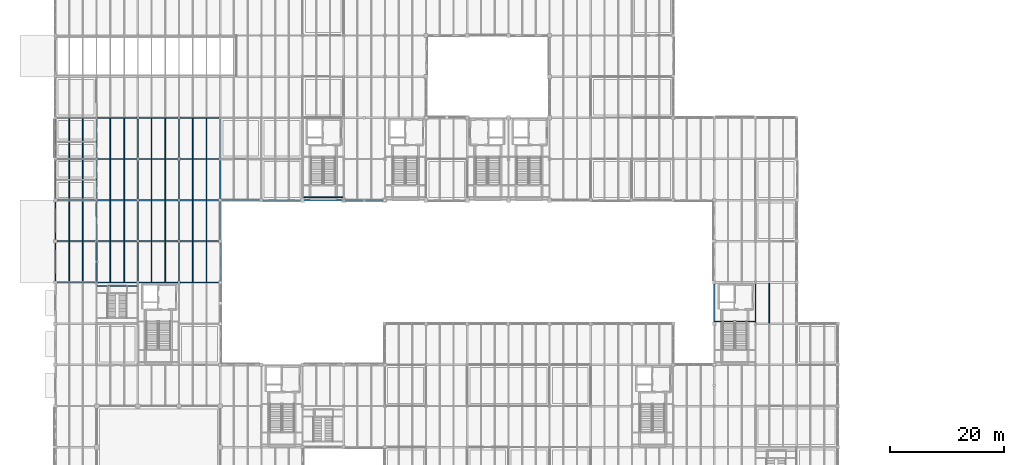
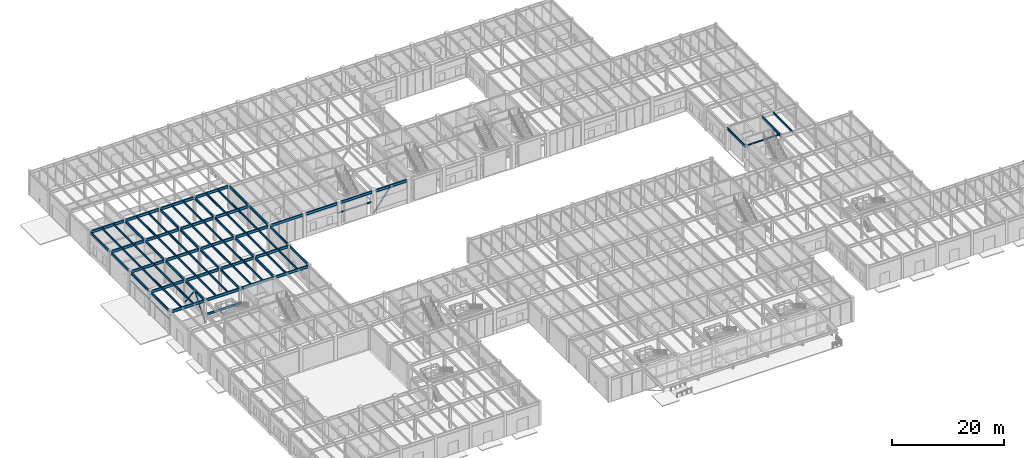
# One storey, part 24 of 97: 84 beams, 3 members.
"""IFC4 building model written with IfcOpenShell, lengths in metres."""

from ifc_helpers import new_model, si_unit, direction, frame, origin, origin_2d, place, context, subcontext, project, spatial, hollow_rectangle, i_section, extrude, material, material_profile, profile_set, type_object, element, save


model = new_model("IFC4")

# Units and contexts
model_context = context("Model", 3, precision=1e-05, world=origin(), true_north=direction((0.0, 1.0)))
body_context = subcontext(model_context, "Body", "Model", "MODEL_VIEW")
ifc_project = project(units=[si_unit("LENGTHUNIT", "METRE"), si_unit("AREAUNIT", "SQUARE_METRE"), si_unit("VOLUMEUNIT", "CUBIC_METRE"), si_unit("PLANEANGLEUNIT", "RADIAN"), si_unit("MASSUNIT", "GRAM", prefix="KILO")], contexts=[model_context])

# Site, building, storey
site_placement = place(None, origin())
site = spatial("IfcSite", under=ifc_project, at=site_placement, CompositionType="ELEMENT")
building_placement = place(site_placement, origin())
building = spatial("IfcBuilding", under=site, at=building_placement, Name="Sillqori Civic Hall", CompositionType="ELEMENT")
storey_placement = place(building_placement, origin())
storey = spatial("IfcBuildingStorey", under=building, at=storey_placement, Name="L01", CompositionType="ELEMENT", Elevation=0.0)

# Beams
ifc_material_1 = material(Name="Steel ASTM A992", Category="steel")
ifc_material_profile_1 = material_profile(ifc_material_1, i_section(OverallWidth=0.19091796875, OverallDepth=0.4599609375, WebThickness=0.010009765625, FlangeThickness=0.01611328125, FilletRadius=0.012939453125, at=origin_2d()), Name="W18X55")
ifc_profile_set_1 = profile_set([ifc_material_profile_1], Name="Steel ASTM A992")
beam_type_1 = type_object("IfcBeamType", Name="BM-W18X55", PredefinedType="BEAM", material=ifc_profile_set_1)
beam_1_placement = place(storey_placement, frame((14.43994140625, 64.179931640625, 2.27490234375), z_axis=(1.0, 0.0, 0.0), x_axis=(0.0, 1.0, 0.0)))
element("IfcBeam", 1, at=beam_1_placement, inside=storey, type_object=beam_type_1, Name="West Committee Concourse Stair L01-L02 half-landing cross trimmer 2", PredefinedType="BEAM", context=body_context, shape_type="SweptSolid", body=[
    extrude(i_section(OverallWidth=0.19091796875, OverallDepth=0.4599609375, WebThickness=0.010009765625, FlangeThickness=0.01611328125, FilletRadius=0.012939453125, at=origin_2d()), origin(), (0.0, 0.0, 1.0), 7.1201171875),
])
ifc_material_profile_2 = material_profile(ifc_material_1, i_section(OverallWidth=0.2099609375, OverallDepth=0.532958984375, WebThickness=0.01025390625, FlangeThickness=0.015625, FilletRadius=0.013916015625, at=origin_2d()), Name="W21X62")
ifc_profile_set_2 = profile_set([ifc_material_profile_2], Name="Steel ASTM A992")
beam_type_2 = type_object("IfcBeamType", Name="BM-W21X62", PredefinedType="BEAM", material=ifc_profile_set_2)
for number, where, z_axis, x_axis, name in (
    (2, (7.199951171875, 65.093994140625, 4.93359375), (0.0, 1.0, 0.0), (-1.0, 0.0, 0.0), "L01 girder Y 1-9"),
    (3, (7.199951171875, 72.2939453125, 4.93359375), (0.0, 1.0, 0.0), (-1.0, 0.0, 0.0), "L01 girder Y 1-10"),
):
    element("IfcBeam", number, at=place(storey_placement, frame(where, z_axis=z_axis, x_axis=x_axis)), inside=storey, type_object=beam_type_2, Name=name, PredefinedType="BEAM", context=body_context, shape_type="SweptSolid", body=[
        extrude(i_section(OverallWidth=0.2099609375, OverallDepth=0.532958984375, WebThickness=0.01025390625, FlangeThickness=0.015625, FilletRadius=0.013916015625, at=origin_2d()), origin(), (0.0, 0.0, 1.0), 6.612060546875),
    ])
beam_2_placement = place(storey_placement, frame((7.199951171875, 79.493896484375, 4.93359375), z_axis=(0.0, 1.0, 0.0), x_axis=(-1.0, 0.0, 0.0)))
element("IfcBeam", 4, at=beam_2_placement, inside=storey, type_object=beam_type_2, Name="L01 girder Y 1-11", PredefinedType="BEAM", context=body_context, shape_type="SweptSolid", body=[
    extrude(i_section(OverallWidth=0.2099609375, OverallDepth=0.532958984375, WebThickness=0.01025390625, FlangeThickness=0.015625, FilletRadius=0.013916015625, at=origin_2d()), origin(), (0.0, 0.0, 1.0), 6.662109375),
])
beam_3_placement = place(storey_placement, frame((7.199951171875, 86.64404296875, 4.93359375), z_axis=(0.0, 1.0, 0.0), x_axis=(-1.0, 0.0, 0.0)))
element("IfcBeam", 5, at=beam_3_placement, inside=storey, type_object=beam_type_2, Name="L01 girder Y 1-12", PredefinedType="BEAM", context=body_context, shape_type="SweptSolid", body=[
    extrude(i_section(OverallWidth=0.2099609375, OverallDepth=0.532958984375, WebThickness=0.01025390625, FlangeThickness=0.015625, FilletRadius=0.013916015625, at=origin_2d()), origin(), (0.0, 0.0, 1.0), 6.7119140625),
])
for number, where, z_axis, x_axis, name in (
    (6, (14.39990234375, 64.987060546875, 4.93359375), (0.0, 1.0, 0.0), (-1.0, 0.0, 0.0), "L01 girder Y 2-9"),
    (7, (14.39990234375, 72.18701171875, 4.93359375), (0.0, 1.0, 0.0), (-1.0, 0.0, 0.0), "L01 girder Y 2-10"),
):
    element("IfcBeam", number, at=place(storey_placement, frame(where, z_axis=z_axis, x_axis=x_axis)), inside=storey, type_object=beam_type_2, Name=name, PredefinedType="BEAM", context=body_context, shape_type="SweptSolid", body=[
        extrude(i_section(OverallWidth=0.2099609375, OverallDepth=0.532958984375, WebThickness=0.01025390625, FlangeThickness=0.015625, FilletRadius=0.013916015625, at=origin_2d()), origin(), (0.0, 0.0, 1.0), 6.825927734375),
    ])
beam_4_placement = place(storey_placement, frame((14.39990234375, 79.386962890625, 4.93359375), z_axis=(0.0, 1.0, 0.0), x_axis=(-1.0, 0.0, 0.0)))
element("IfcBeam", 8, at=beam_4_placement, inside=storey, type_object=beam_type_2, Name="L01 girder Y 2-11", PredefinedType="BEAM", context=body_context, shape_type="SweptSolid", body=[
    extrude(i_section(OverallWidth=0.2099609375, OverallDepth=0.532958984375, WebThickness=0.01025390625, FlangeThickness=0.015625, FilletRadius=0.013916015625, at=origin_2d()), origin(), (0.0, 0.0, 1.0), 6.838623046875),
])
beam_5_placement = place(storey_placement, frame((14.39990234375, 86.574462890625, 4.93359375), z_axis=(0.0, 1.0, 0.0), x_axis=(-1.0, 0.0, 0.0)))
element("IfcBeam", 9, at=beam_5_placement, inside=storey, type_object=beam_type_2, Name="L01 girder Y 2-12", PredefinedType="BEAM", context=body_context, shape_type="SweptSolid", body=[
    extrude(i_section(OverallWidth=0.2099609375, OverallDepth=0.532958984375, WebThickness=0.01025390625, FlangeThickness=0.015625, FilletRadius=0.013916015625, at=origin_2d()), origin(), (0.0, 0.0, 1.0), 6.85107421875),
])
for number, where, z_axis, x_axis, name in (
    (10, (21.60009765625, 64.987060546875, 4.93359375), (0.0, 1.0, 0.0), (-1.0, 0.0, 0.0), "L01 girder Y 3-9"),
    (11, (21.60009765625, 72.18701171875, 4.93359375), (0.0, 1.0, 0.0), (-1.0, 0.0, 0.0), "L01 girder Y 3-10"),
):
    element("IfcBeam", number, at=place(storey_placement, frame(where, z_axis=z_axis, x_axis=x_axis)), inside=storey, type_object=beam_type_2, Name=name, PredefinedType="BEAM", context=body_context, shape_type="SweptSolid", body=[
        extrude(i_section(OverallWidth=0.2099609375, OverallDepth=0.532958984375, WebThickness=0.01025390625, FlangeThickness=0.015625, FilletRadius=0.013916015625, at=origin_2d()), origin(), (0.0, 0.0, 1.0), 6.825927734375),
    ])
beam_6_placement = place(storey_placement, frame((21.60009765625, 79.386962890625, 4.93359375), z_axis=(0.0, 1.0, 0.0), x_axis=(-1.0, 0.0, 0.0)))
element("IfcBeam", 12, at=beam_6_placement, inside=storey, type_object=beam_type_2, Name="L01 girder Y 3-11", PredefinedType="BEAM", context=body_context, shape_type="SweptSolid", body=[
    extrude(i_section(OverallWidth=0.2099609375, OverallDepth=0.532958984375, WebThickness=0.01025390625, FlangeThickness=0.015625, FilletRadius=0.013916015625, at=origin_2d()), origin(), (0.0, 0.0, 1.0), 6.8349609375),
])
beam_7_placement = place(storey_placement, frame((21.60009765625, 86.577880859375, 4.93359375), z_axis=(0.0, 1.0, 0.0), x_axis=(-1.0, 0.0, 0.0)))
element("IfcBeam", 13, at=beam_7_placement, inside=storey, type_object=beam_type_2, Name="L01 girder Y 3-12", PredefinedType="BEAM", context=body_context, shape_type="SweptSolid", body=[
    extrude(i_section(OverallWidth=0.2099609375, OverallDepth=0.532958984375, WebThickness=0.01025390625, FlangeThickness=0.015625, FilletRadius=0.013916015625, at=origin_2d()), origin(), (0.0, 0.0, 1.0), 6.84423828125),
])
for number, where, z_axis, x_axis, name in (
    (14, (28.800048828125, 64.987060546875, 4.93359375), (0.0, 1.0, 0.0), (-1.0, 0.0, 0.0), "L01 girder Y 4-9"),
    (15, (28.800048828125, 72.18701171875, 4.93359375), (0.0, 1.0, 0.0), (-1.0, 0.0, 0.0), "L01 girder Y 4-10"),
):
    element("IfcBeam", number, at=place(storey_placement, frame(where, z_axis=z_axis, x_axis=x_axis)), inside=storey, type_object=beam_type_2, Name=name, PredefinedType="BEAM", context=body_context, shape_type="SweptSolid", body=[
        extrude(i_section(OverallWidth=0.2099609375, OverallDepth=0.532958984375, WebThickness=0.01025390625, FlangeThickness=0.015625, FilletRadius=0.013916015625, at=origin_2d()), origin(), (0.0, 0.0, 1.0), 6.825927734375),
    ])
beam_8_placement = place(storey_placement, frame((28.800048828125, 79.386962890625, 4.93359375), z_axis=(0.0, 1.0, 0.0), x_axis=(-1.0, 0.0, 0.0)))
element("IfcBeam", 16, at=beam_8_placement, inside=storey, type_object=beam_type_2, Name="L01 girder Y 4-11", PredefinedType="BEAM", context=body_context, shape_type="SweptSolid", body=[
    extrude(i_section(OverallWidth=0.2099609375, OverallDepth=0.532958984375, WebThickness=0.01025390625, FlangeThickness=0.015625, FilletRadius=0.013916015625, at=origin_2d()), origin(), (0.0, 0.0, 1.0), 6.8310546875),
])
beam_9_placement = place(storey_placement, frame((28.800048828125, 86.58203125, 4.93359375), z_axis=(0.0, 1.0, 0.0), x_axis=(-1.0, 0.0, 0.0)))
element("IfcBeam", 17, at=beam_9_placement, inside=storey, type_object=beam_type_2, Name="L01 girder Y 4-12", PredefinedType="BEAM", context=body_context, shape_type="SweptSolid", body=[
    extrude(i_section(OverallWidth=0.2099609375, OverallDepth=0.532958984375, WebThickness=0.01025390625, FlangeThickness=0.015625, FilletRadius=0.013916015625, at=origin_2d()), origin(), (0.0, 0.0, 1.0), 6.8359375),
])
for number, where, z_axis, x_axis, name in (
    (18, (36.0, 65.093994140625, 4.93359375), (0.0, 1.0, 0.0), (-1.0, 0.0, 0.0), "L01 girder Y 5-9"),
    (19, (36.0, 72.2939453125, 4.93359375), (0.0, 1.0, 0.0), (-1.0, 0.0, 0.0), "L01 girder Y 5-10"),
):
    element("IfcBeam", number, at=place(storey_placement, frame(where, z_axis=z_axis, x_axis=x_axis)), inside=storey, type_object=beam_type_2, Name=name, PredefinedType="BEAM", context=body_context, shape_type="SweptSolid", body=[
        extrude(i_section(OverallWidth=0.2099609375, OverallDepth=0.532958984375, WebThickness=0.01025390625, FlangeThickness=0.015625, FilletRadius=0.013916015625, at=origin_2d()), origin(), (0.0, 0.0, 1.0), 6.612060546875),
    ])
beam_10_placement = place(storey_placement, frame((36.0, 79.493896484375, 4.93359375), z_axis=(0.0, 1.0, 0.0), x_axis=(-1.0, 0.0, 0.0)))
element("IfcBeam", 20, at=beam_10_placement, inside=storey, type_object=beam_type_2, Name="L01 girder Y 5-11", PredefinedType="BEAM", context=body_context, shape_type="SweptSolid", body=[
    extrude(i_section(OverallWidth=0.2099609375, OverallDepth=0.532958984375, WebThickness=0.01025390625, FlangeThickness=0.015625, FilletRadius=0.013916015625, at=origin_2d()), origin(), (0.0, 0.0, 1.0), 6.718994140625),
])
beam_11_placement = place(storey_placement, frame((36.0, 86.5869140625, 4.93359375), z_axis=(0.0, 1.0, 0.0), x_axis=(-1.0, 0.0, 0.0)))
element("IfcBeam", 21, at=beam_11_placement, inside=storey, type_object=beam_type_2, Name="L01 girder Y 5-12", PredefinedType="BEAM", context=body_context, shape_type="SweptSolid", body=[
    extrude(i_section(OverallWidth=0.2099609375, OverallDepth=0.532958984375, WebThickness=0.01025390625, FlangeThickness=0.015625, FilletRadius=0.013916015625, at=origin_2d()), origin(), (0.0, 0.0, 1.0), 6.826171875),
])
beam_12_placement = place(storey_placement, frame((122.39990234375, 57.89404296875, 4.93359375), z_axis=(0.0, 1.0, 0.0), x_axis=(-1.0, 0.0, 0.0)))
element("IfcBeam", 22, at=beam_12_placement, inside=storey, type_object=beam_type_2, Name="L01 girder Y 17-8", PredefinedType="BEAM", context=body_context, shape_type="SweptSolid", body=[
    extrude(i_section(OverallWidth=0.2099609375, OverallDepth=0.532958984375, WebThickness=0.01025390625, FlangeThickness=0.015625, FilletRadius=0.013916015625, at=origin_2d()), origin(), (0.0, 0.0, 1.0), 6.612060546875),
])
beam_13_placement = place(storey_placement, frame((129.60009765625, 57.781982421875, 4.93359375), z_axis=(0.0, 1.0, 0.0), x_axis=(-1.0, 0.0, 0.0)))
element("IfcBeam", 23, at=beam_13_placement, inside=storey, type_object=beam_type_2, Name="L01 girder Y 18-8", PredefinedType="BEAM", context=body_context, shape_type="SweptSolid", body=[
    extrude(i_section(OverallWidth=0.2099609375, OverallDepth=0.532958984375, WebThickness=0.01025390625, FlangeThickness=0.015625, FilletRadius=0.013916015625, at=origin_2d()), origin(), (0.0, 0.0, 1.0), 6.8359375),
])
ifc_material_profile_3 = material_profile(ifc_material_1, i_section(OverallWidth=0.22802734375, OverallDepth=0.60205078125, WebThickness=0.010498046875, FlangeThickness=0.014892578125, FilletRadius=0.014892578125, at=origin_2d()), Name="W24X68")
ifc_profile_set_3 = profile_set([ifc_material_profile_3], Name="Steel ASTM A992")
beam_type_3 = type_object("IfcBeamType", Name="BM-W24X68", PredefinedType="BEAM", material=ifc_profile_set_3)
for number, where, z_axis, x_axis, name in (
    (24, (7.493896484375, 64.800048828125, 4.89892578125), (1.0, 0.0, 0.0), (0.0, 1.0, 0.0), "L01 girder X 1-9"),
    (25, (7.493896484375, 72.0, 4.89892578125), (1.0, 0.0, 0.0), (0.0, 1.0, 0.0), "L01 girder X 1-10"),
    (26, (7.493896484375, 79.199951171875, 4.89892578125), (1.0, 0.0, 0.0), (0.0, 1.0, 0.0), "L01 girder X 1-11"),
):
    element("IfcBeam", number, at=place(storey_placement, frame(where, z_axis=z_axis, x_axis=x_axis)), inside=storey, type_object=beam_type_3, Name=name, PredefinedType="BEAM", context=body_context, shape_type="SweptSolid", body=[
        extrude(i_section(OverallWidth=0.22802734375, OverallDepth=0.60205078125, WebThickness=0.010498046875, FlangeThickness=0.014892578125, FilletRadius=0.014892578125, at=origin_2d()), origin(), (0.0, 0.0, 1.0), 6.712646484375),
    ])
for number, where, z_axis, x_axis, name in (
    (27, (7.444091796875, 86.39990234375, 4.89892578125), (1.0, 0.0, 0.0), (0.0, 1.0, 0.0), "L01 girder X 1-12"),
    (28, (7.444091796875, 93.60009765625, 4.89892578125), (1.0, 0.0, 0.0), (0.0, 1.0, 0.0), "L01 girder X 1-13"),
):
    element("IfcBeam", number, at=place(storey_placement, frame(where, z_axis=z_axis, x_axis=x_axis)), inside=storey, type_object=beam_type_3, Name=name, PredefinedType="BEAM", context=body_context, shape_type="SweptSolid", body=[
        extrude(i_section(OverallWidth=0.22802734375, OverallDepth=0.60205078125, WebThickness=0.010498046875, FlangeThickness=0.014892578125, FilletRadius=0.014892578125, at=origin_2d()), origin(), (0.0, 0.0, 1.0), 6.7763671875),
    ])
for number, where, z_axis, x_axis, name in (
    (29, (14.593505859375, 64.800048828125, 4.89892578125), (1.0, 0.0, 0.0), (0.0, 1.0, 0.0), "L01 girder X 2-9"),
    (30, (14.593505859375, 72.0, 4.89892578125), (1.0, 0.0, 0.0), (0.0, 1.0, 0.0), "L01 girder X 2-10"),
    (31, (14.593505859375, 79.199951171875, 4.89892578125), (1.0, 0.0, 0.0), (0.0, 1.0, 0.0), "L01 girder X 2-11"),
):
    element("IfcBeam", number, at=place(storey_placement, frame(where, z_axis=z_axis, x_axis=x_axis)), inside=storey, type_object=beam_type_3, Name=name, PredefinedType="BEAM", context=body_context, shape_type="SweptSolid", body=[
        extrude(i_section(OverallWidth=0.22802734375, OverallDepth=0.60205078125, WebThickness=0.010498046875, FlangeThickness=0.014892578125, FilletRadius=0.014892578125, at=origin_2d()), origin(), (0.0, 0.0, 1.0), 6.81298828125),
    ])
for number, where, z_axis, x_axis, name in (
    (32, (14.57958984375, 86.39990234375, 4.89892578125), (1.0, 0.0, 0.0), (0.0, 1.0, 0.0), "L01 girder X 2-12"),
    (33, (14.57958984375, 93.60009765625, 4.89892578125), (1.0, 0.0, 0.0), (0.0, 1.0, 0.0), "L01 girder X 2-13"),
):
    element("IfcBeam", number, at=place(storey_placement, frame(where, z_axis=z_axis, x_axis=x_axis)), inside=storey, type_object=beam_type_3, Name=name, PredefinedType="BEAM", context=body_context, shape_type="SweptSolid", body=[
        extrude(i_section(OverallWidth=0.22802734375, OverallDepth=0.60205078125, WebThickness=0.010498046875, FlangeThickness=0.014892578125, FilletRadius=0.014892578125, at=origin_2d()), origin(), (0.0, 0.0, 1.0), 6.83984375),
    ])
for number, where, z_axis, x_axis, name in (
    (34, (21.79345703125, 64.800048828125, 4.89892578125), (1.0, 0.0, 0.0), (0.0, 1.0, 0.0), "L01 girder X 3-9"),
    (35, (21.79345703125, 72.0, 4.89892578125), (1.0, 0.0, 0.0), (0.0, 1.0, 0.0), "L01 girder X 3-10"),
    (36, (21.79345703125, 79.199951171875, 4.89892578125), (1.0, 0.0, 0.0), (0.0, 1.0, 0.0), "L01 girder X 3-11"),
):
    element("IfcBeam", number, at=place(storey_placement, frame(where, z_axis=z_axis, x_axis=x_axis)), inside=storey, type_object=beam_type_3, Name=name, PredefinedType="BEAM", context=body_context, shape_type="SweptSolid", body=[
        extrude(i_section(OverallWidth=0.22802734375, OverallDepth=0.60205078125, WebThickness=0.010498046875, FlangeThickness=0.014892578125, FilletRadius=0.014892578125, at=origin_2d()), origin(), (0.0, 0.0, 1.0), 6.81298828125),
    ])
for number, where, z_axis, x_axis, name in (
    (37, (21.780517578125, 86.39990234375, 4.89892578125), (1.0, 0.0, 0.0), (0.0, 1.0, 0.0), "L01 girder X 3-12"),
    (38, (21.780517578125, 93.60009765625, 4.89892578125), (1.0, 0.0, 0.0), (0.0, 1.0, 0.0), "L01 girder X 3-13"),
):
    element("IfcBeam", number, at=place(storey_placement, frame(where, z_axis=z_axis, x_axis=x_axis)), inside=storey, type_object=beam_type_3, Name=name, PredefinedType="BEAM", context=body_context, shape_type="SweptSolid", body=[
        extrude(i_section(OverallWidth=0.22802734375, OverallDepth=0.60205078125, WebThickness=0.010498046875, FlangeThickness=0.014892578125, FilletRadius=0.014892578125, at=origin_2d()), origin(), (0.0, 0.0, 1.0), 6.828369140625),
    ])
for number, where, z_axis, x_axis, name in (
    (39, (28.993408203125, 64.800048828125, 4.89892578125), (1.0, 0.0, 0.0), (0.0, 1.0, 0.0), "L01 girder X 4-9"),
    (40, (28.993408203125, 72.0, 4.89892578125), (1.0, 0.0, 0.0), (0.0, 1.0, 0.0), "L01 girder X 4-10"),
    (41, (28.993408203125, 79.199951171875, 4.89892578125), (1.0, 0.0, 0.0), (0.0, 1.0, 0.0), "L01 girder X 4-11"),
):
    element("IfcBeam", number, at=place(storey_placement, frame(where, z_axis=z_axis, x_axis=x_axis)), inside=storey, type_object=beam_type_3, Name=name, PredefinedType="BEAM", context=body_context, shape_type="SweptSolid", body=[
        extrude(i_section(OverallWidth=0.22802734375, OverallDepth=0.60205078125, WebThickness=0.010498046875, FlangeThickness=0.014892578125, FilletRadius=0.014892578125, at=origin_2d()), origin(), (0.0, 0.0, 1.0), 6.712646484375),
    ])
for number, where, z_axis, x_axis, name in (
    (42, (28.990966796875, 86.39990234375, 4.89892578125), (1.0, 0.0, 0.0), (0.0, 1.0, 0.0), "L01 girder X 4-12"),
    (43, (28.990966796875, 93.60009765625, 4.89892578125), (1.0, 0.0, 0.0), (0.0, 1.0, 0.0), "L01 girder X 4-13"),
):
    element("IfcBeam", number, at=place(storey_placement, frame(where, z_axis=z_axis, x_axis=x_axis)), inside=storey, type_object=beam_type_3, Name=name, PredefinedType="BEAM", context=body_context, shape_type="SweptSolid", body=[
        extrude(i_section(OverallWidth=0.22802734375, OverallDepth=0.60205078125, WebThickness=0.010498046875, FlangeThickness=0.014892578125, FilletRadius=0.014892578125, at=origin_2d()), origin(), (0.0, 0.0, 1.0), 6.8154296875),
    ])
beam_14_placement = place(storey_placement, frame((36.2939453125, 79.199951171875, 4.89892578125), z_axis=(1.0, 0.0, 0.0), x_axis=(0.0, 1.0, 0.0)))
element("IfcBeam", 44, at=beam_14_placement, inside=storey, type_object=beam_type_3, Name="L01 girder X 5-11", PredefinedType="BEAM", context=body_context, shape_type="SweptSolid", body=[
    extrude(i_section(OverallWidth=0.22802734375, OverallDepth=0.60205078125, WebThickness=0.010498046875, FlangeThickness=0.014892578125, FilletRadius=0.014892578125, at=origin_2d()), origin(), (0.0, 0.0, 1.0), 6.612060546875),
])
beam_15_placement = place(storey_placement, frame((43.493896484375, 79.199951171875, 4.89892578125), z_axis=(1.0, 0.0, 0.0), x_axis=(0.0, 1.0, 0.0)))
element("IfcBeam", 45, at=beam_15_placement, inside=storey, type_object=beam_type_3, Name="L01 girder X 6-11", PredefinedType="BEAM", context=body_context, shape_type="SweptSolid", body=[
    extrude(i_section(OverallWidth=0.22802734375, OverallDepth=0.60205078125, WebThickness=0.010498046875, FlangeThickness=0.014892578125, FilletRadius=0.014892578125, at=origin_2d()), origin(), (0.0, 0.0, 1.0), 6.537109375),
])
for number, where, z_axis, x_axis, name in (
    (46, (50.76904296875, 79.199951171875, 4.89892578125), (1.0, 0.0, 0.0), (0.0, 1.0, 0.0), "L01 girder X 7-11"),
    (47, (57.968994140625, 79.199951171875, 4.89892578125), (1.0, 0.0, 0.0), (0.0, 1.0, 0.0), "L01 girder X 8-11"),
):
    element("IfcBeam", number, at=place(storey_placement, frame(where, z_axis=z_axis, x_axis=x_axis)), inside=storey, type_object=beam_type_3, Name=name, PredefinedType="BEAM", context=body_context, shape_type="SweptSolid", body=[
        extrude(i_section(OverallWidth=0.22802734375, OverallDepth=0.60205078125, WebThickness=0.010498046875, FlangeThickness=0.014892578125, FilletRadius=0.014892578125, at=origin_2d()), origin(), (0.0, 0.0, 1.0), 6.4619140625),
    ])

# Members
ifc_material_2 = material(Name="Steel ASTM A500 Grade C", Category="steel")
ifc_material_profile_4 = material_profile(ifc_material_2, hollow_rectangle(XDim=0.25, YDim=0.25, WallThickness=0.011962890625, InnerFilletRadius=0.011962890625, OuterFilletRadius=0.02392578125, at=origin_2d()), Name="HSS250X250X12")
ifc_profile_set_4 = profile_set([ifc_material_profile_4], Name="Steel ASTM A500 Grade C")
member_type = type_object("IfcMemberType", Name="BR-HSS250", PredefinedType="BRACE", material=ifc_profile_set_4)
for number, where, z_axis, x_axis, name in (
    (48, (57.60009765625, 79.199951171875, 0.14990234375), (0.604003582682, 0.0, 0.796981600859), (0.0, 1.0, 0.0), "L01 seismic chevron brace L X11-8"),
    (49, (14.39990234375, 64.800048828125, 0.14990234375), (0.0, 0.604003582682, 0.796981600859), (-1.0, 0.0, 0.0), "L01 seismic chevron brace L Y2-9"),
):
    element("IfcMember", number, at=place(storey_placement, frame(where, z_axis=z_axis, x_axis=x_axis)), inside=storey, type_object=member_type, Name=name, PredefinedType="BRACE", context=body_context, shape_type="SweptSolid", body=[
        extrude(hollow_rectangle(XDim=0.25, YDim=0.25, WallThickness=0.011962890625, InnerFilletRadius=0.011962890625, OuterFilletRadius=0.02392578125, at=origin_2d()), origin(), (0.0, 0.0, 1.0), 5.9599609375),
    ])
member_placement = place(storey_placement, frame((14.39990234375, 72.0, 0.14990234375), z_axis=(0.0, -0.60402960076, 0.796961882028), x_axis=(1.0, 0.0, 0.0)))
element("IfcMember", 50, at=member_placement, inside=storey, type_object=member_type, Name="L01 seismic chevron brace R Y2-9", PredefinedType="BRACE", context=body_context, shape_type="SweptSolid", body=[
    extrude(hollow_rectangle(XDim=0.25, YDim=0.25, WallThickness=0.011962890625, InnerFilletRadius=0.011962890625, OuterFilletRadius=0.02392578125, at=origin_2d()), origin(), (0.0, 0.0, 1.0), 5.960205078125),
])

# Beams
ifc_material_profile_5 = material_profile(ifc_material_1, i_section(OverallWidth=0.153076171875, OverallDepth=0.455078125, WebThickness=0.008056640625, FlangeThickness=0.01318359375, FilletRadius=0.012939453125, at=origin_2d()), Name="W18X40")
ifc_profile_set_5 = profile_set([ifc_material_profile_5], Name="Steel ASTM A992")
beam_type_4 = type_object("IfcBeamType", Name="JS-W18X40", PredefinedType="JOIST", material=ifc_profile_set_5)
for number, where, z_axis, x_axis, name in (
    (51, (9.60009765625, 64.89501953125, 4.972412109375), (0.0, 1.0, 0.0), (-1.0, 0.0, 0.0), "L01 composite joist 1-9.1"),
    (52, (12.0, 64.89501953125, 4.972412109375), (0.0, 1.0, 0.0), (-1.0, 0.0, 0.0), "L01 composite joist 1-9.2"),
    (53, (9.60009765625, 72.094970703125, 4.972412109375), (0.0, 1.0, 0.0), (-1.0, 0.0, 0.0), "L01 composite joist 1-10.1"),
    (54, (12.0, 72.094970703125, 4.972412109375), (0.0, 1.0, 0.0), (-1.0, 0.0, 0.0), "L01 composite joist 1-10.2"),
    (55, (9.60009765625, 79.294921875, 4.972412109375), (0.0, 1.0, 0.0), (-1.0, 0.0, 0.0), "L01 composite joist 1-11.1"),
    (56, (12.0, 79.294921875, 4.972412109375), (0.0, 1.0, 0.0), (-1.0, 0.0, 0.0), "L01 composite joist 1-11.2"),
):
    element("IfcBeam", number, at=place(storey_placement, frame(where, z_axis=z_axis, x_axis=x_axis)), inside=storey, type_object=beam_type_4, Name=name, PredefinedType="JOIST", context=body_context, shape_type="SweptSolid", body=[
        extrude(i_section(OverallWidth=0.153076171875, OverallDepth=0.455078125, WebThickness=0.008056640625, FlangeThickness=0.01318359375, FilletRadius=0.012939453125, at=origin_2d()), origin(), (0.0, 0.0, 1.0), 7.010009765625),
    ])
for number, where, z_axis, x_axis, name in (
    (57, (9.60009765625, 86.4951171875, 4.972412109375), (0.0, 1.0, 0.0), (-1.0, 0.0, 0.0), "L01 composite joist 1-12.1"),
    (58, (12.0, 86.4951171875, 4.972412109375), (0.0, 1.0, 0.0), (-1.0, 0.0, 0.0), "L01 composite joist 1-12.2"),
):
    element("IfcBeam", number, at=place(storey_placement, frame(where, z_axis=z_axis, x_axis=x_axis)), inside=storey, type_object=beam_type_4, Name=name, PredefinedType="JOIST", context=body_context, shape_type="SweptSolid", body=[
        extrude(i_section(OverallWidth=0.153076171875, OverallDepth=0.455078125, WebThickness=0.008056640625, FlangeThickness=0.01318359375, FilletRadius=0.012939453125, at=origin_2d()), origin(), (0.0, 0.0, 1.0), 7.009765625),
    ])
for number, where, z_axis, x_axis, name in (
    (59, (16.800048828125, 64.89501953125, 4.972412109375), (0.0, 1.0, 0.0), (-1.0, 0.0, 0.0), "L01 composite joist 2-9.1"),
    (60, (19.199951171875, 64.89501953125, 4.972412109375), (0.0, 1.0, 0.0), (-1.0, 0.0, 0.0), "L01 composite joist 2-9.2"),
    (61, (16.800048828125, 72.094970703125, 4.972412109375), (0.0, 1.0, 0.0), (-1.0, 0.0, 0.0), "L01 composite joist 2-10.1"),
    (62, (19.199951171875, 72.094970703125, 4.972412109375), (0.0, 1.0, 0.0), (-1.0, 0.0, 0.0), "L01 composite joist 2-10.2"),
    (63, (16.800048828125, 79.294921875, 4.972412109375), (0.0, 1.0, 0.0), (-1.0, 0.0, 0.0), "L01 composite joist 2-11.1"),
    (64, (19.199951171875, 79.294921875, 4.972412109375), (0.0, 1.0, 0.0), (-1.0, 0.0, 0.0), "L01 composite joist 2-11.2"),
):
    element("IfcBeam", number, at=place(storey_placement, frame(where, z_axis=z_axis, x_axis=x_axis)), inside=storey, type_object=beam_type_4, Name=name, PredefinedType="JOIST", context=body_context, shape_type="SweptSolid", body=[
        extrude(i_section(OverallWidth=0.153076171875, OverallDepth=0.455078125, WebThickness=0.008056640625, FlangeThickness=0.01318359375, FilletRadius=0.012939453125, at=origin_2d()), origin(), (0.0, 0.0, 1.0), 7.010009765625),
    ])
for number, where, z_axis, x_axis, name in (
    (65, (16.800048828125, 86.4951171875, 4.972412109375), (0.0, 1.0, 0.0), (-1.0, 0.0, 0.0), "L01 composite joist 2-12.1"),
    (66, (19.199951171875, 86.4951171875, 4.972412109375), (0.0, 1.0, 0.0), (-1.0, 0.0, 0.0), "L01 composite joist 2-12.2"),
):
    element("IfcBeam", number, at=place(storey_placement, frame(where, z_axis=z_axis, x_axis=x_axis)), inside=storey, type_object=beam_type_4, Name=name, PredefinedType="JOIST", context=body_context, shape_type="SweptSolid", body=[
        extrude(i_section(OverallWidth=0.153076171875, OverallDepth=0.455078125, WebThickness=0.008056640625, FlangeThickness=0.01318359375, FilletRadius=0.012939453125, at=origin_2d()), origin(), (0.0, 0.0, 1.0), 7.009765625),
    ])
for number, where, z_axis, x_axis, name in (
    (67, (24.0, 64.89501953125, 4.972412109375), (0.0, 1.0, 0.0), (-1.0, 0.0, 0.0), "L01 composite joist 3-9.1"),
    (68, (26.39990234375, 64.89501953125, 4.972412109375), (0.0, 1.0, 0.0), (-1.0, 0.0, 0.0), "L01 composite joist 3-9.2"),
    (69, (24.0, 72.094970703125, 4.972412109375), (0.0, 1.0, 0.0), (-1.0, 0.0, 0.0), "L01 composite joist 3-10.1"),
    (70, (26.39990234375, 72.094970703125, 4.972412109375), (0.0, 1.0, 0.0), (-1.0, 0.0, 0.0), "L01 composite joist 3-10.2"),
    (71, (24.0, 79.294921875, 4.972412109375), (0.0, 1.0, 0.0), (-1.0, 0.0, 0.0), "L01 composite joist 3-11.1"),
    (72, (26.39990234375, 79.294921875, 4.972412109375), (0.0, 1.0, 0.0), (-1.0, 0.0, 0.0), "L01 composite joist 3-11.2"),
):
    element("IfcBeam", number, at=place(storey_placement, frame(where, z_axis=z_axis, x_axis=x_axis)), inside=storey, type_object=beam_type_4, Name=name, PredefinedType="JOIST", context=body_context, shape_type="SweptSolid", body=[
        extrude(i_section(OverallWidth=0.153076171875, OverallDepth=0.455078125, WebThickness=0.008056640625, FlangeThickness=0.01318359375, FilletRadius=0.012939453125, at=origin_2d()), origin(), (0.0, 0.0, 1.0), 7.010009765625),
    ])
for number, where, z_axis, x_axis, name in (
    (73, (24.0, 86.4951171875, 4.972412109375), (0.0, 1.0, 0.0), (-1.0, 0.0, 0.0), "L01 composite joist 3-12.1"),
    (74, (26.39990234375, 86.4951171875, 4.972412109375), (0.0, 1.0, 0.0), (-1.0, 0.0, 0.0), "L01 composite joist 3-12.2"),
):
    element("IfcBeam", number, at=place(storey_placement, frame(where, z_axis=z_axis, x_axis=x_axis)), inside=storey, type_object=beam_type_4, Name=name, PredefinedType="JOIST", context=body_context, shape_type="SweptSolid", body=[
        extrude(i_section(OverallWidth=0.153076171875, OverallDepth=0.455078125, WebThickness=0.008056640625, FlangeThickness=0.01318359375, FilletRadius=0.012939453125, at=origin_2d()), origin(), (0.0, 0.0, 1.0), 7.009765625),
    ])
for number, where, z_axis, x_axis, name in (
    (75, (31.199951171875, 64.89501953125, 4.972412109375), (0.0, 1.0, 0.0), (-1.0, 0.0, 0.0), "L01 composite joist 4-9.1"),
    (76, (33.60009765625, 64.89501953125, 4.972412109375), (0.0, 1.0, 0.0), (-1.0, 0.0, 0.0), "L01 composite joist 4-9.2"),
    (77, (31.199951171875, 72.094970703125, 4.972412109375), (0.0, 1.0, 0.0), (-1.0, 0.0, 0.0), "L01 composite joist 4-10.1"),
    (78, (33.60009765625, 72.094970703125, 4.972412109375), (0.0, 1.0, 0.0), (-1.0, 0.0, 0.0), "L01 composite joist 4-10.2"),
    (79, (31.199951171875, 79.294921875, 4.972412109375), (0.0, 1.0, 0.0), (-1.0, 0.0, 0.0), "L01 composite joist 4-11.1"),
    (80, (33.60009765625, 79.294921875, 4.972412109375), (0.0, 1.0, 0.0), (-1.0, 0.0, 0.0), "L01 composite joist 4-11.2"),
):
    element("IfcBeam", number, at=place(storey_placement, frame(where, z_axis=z_axis, x_axis=x_axis)), inside=storey, type_object=beam_type_4, Name=name, PredefinedType="JOIST", context=body_context, shape_type="SweptSolid", body=[
        extrude(i_section(OverallWidth=0.153076171875, OverallDepth=0.455078125, WebThickness=0.008056640625, FlangeThickness=0.01318359375, FilletRadius=0.012939453125, at=origin_2d()), origin(), (0.0, 0.0, 1.0), 7.010009765625),
    ])
for number, where, z_axis, x_axis, name in (
    (81, (31.199951171875, 86.4951171875, 4.972412109375), (0.0, 1.0, 0.0), (-1.0, 0.0, 0.0), "L01 composite joist 4-12.1"),
    (82, (33.60009765625, 86.4951171875, 4.972412109375), (0.0, 1.0, 0.0), (-1.0, 0.0, 0.0), "L01 composite joist 4-12.2"),
):
    element("IfcBeam", number, at=place(storey_placement, frame(where, z_axis=z_axis, x_axis=x_axis)), inside=storey, type_object=beam_type_4, Name=name, PredefinedType="JOIST", context=body_context, shape_type="SweptSolid", body=[
        extrude(i_section(OverallWidth=0.153076171875, OverallDepth=0.455078125, WebThickness=0.008056640625, FlangeThickness=0.01318359375, FilletRadius=0.012939453125, at=origin_2d()), origin(), (0.0, 0.0, 1.0), 7.009765625),
    ])
beam_16_placement = place(storey_placement, frame((132.0, 57.695068359375, 4.972412109375), z_axis=(0.0, 1.0, 0.0), x_axis=(-1.0, 0.0, 0.0)))
element("IfcBeam", 83, at=beam_16_placement, inside=storey, type_object=beam_type_4, Name="L01 composite joist 18-8.1", PredefinedType="JOIST", context=body_context, shape_type="SweptSolid", body=[
    extrude(i_section(OverallWidth=0.153076171875, OverallDepth=0.455078125, WebThickness=0.008056640625, FlangeThickness=0.01318359375, FilletRadius=0.012939453125, at=origin_2d()), origin(), (0.0, 0.0, 1.0), 7.010009765625),
])
ifc_material_profile_6 = material_profile(ifc_material_1, i_section(OverallWidth=0.133056640625, OverallDepth=0.20703125, WebThickness=0.005859375, FlangeThickness=0.00830078125, FilletRadius=0.008056640625, at=origin_2d()), Name="W8X18")
ifc_profile_set_6 = profile_set([ifc_material_profile_6], Name="Steel ASTM A992")
beam_type_5 = type_object("IfcBeamType", Name="LN-W8X18", PredefinedType="LINTEL", material=ifc_profile_set_6)
for number, where, z_axis, x_axis, name in (
    (84, (7.199951171875, 65.093994140625, 3.14990234375), (0.0, 1.0, 0.0), (-1.0, 0.0, 0.0), "Loading dock berth 1 steel lintel"),
    (85, (7.199951171875, 72.2939453125, 3.14990234375), (0.0, 1.0, 0.0), (-1.0, 0.0, 0.0), "Loading dock berth 2 steel lintel"),
):
    element("IfcBeam", number, at=place(storey_placement, frame(where, z_axis=z_axis, x_axis=x_axis)), inside=storey, type_object=beam_type_5, Name=name, PredefinedType="LINTEL", context=body_context, shape_type="SweptSolid", body=[
        extrude(i_section(OverallWidth=0.133056640625, OverallDepth=0.20703125, WebThickness=0.005859375, FlangeThickness=0.00830078125, FilletRadius=0.008056640625, at=origin_2d()), origin(), (0.0, 0.0, 1.0), 6.612060546875),
    ])
for number, where, z_axis, x_axis, name in (
    (86, (122.449951171875, 57.969970703125, 5.1025390625), (1.0, 0.0, 0.0), (0.0, 1.0, 0.0), "L01 C2 stair upper arrival steel trimmer"),
    (87, (50.449951171875, 79.695068359375, 2.382568359375), (1.0, 0.0, 0.0), (0.0, 1.0, 0.0), "L01 C5 stair half-landing steel ledger 1.1"),
):
    element("IfcBeam", number, at=place(storey_placement, frame(where, z_axis=z_axis, x_axis=x_axis)), inside=storey, type_object=beam_type_5, Name=name, PredefinedType="LINTEL", context=body_context, shape_type="SweptSolid", body=[
        extrude(i_section(OverallWidth=0.133056640625, OverallDepth=0.20703125, WebThickness=0.005859375, FlangeThickness=0.00830078125, FilletRadius=0.008056640625, at=origin_2d()), origin(), (0.0, 0.0, 1.0), 7.10009765625),
    ])

save(model, "model.ifc")
